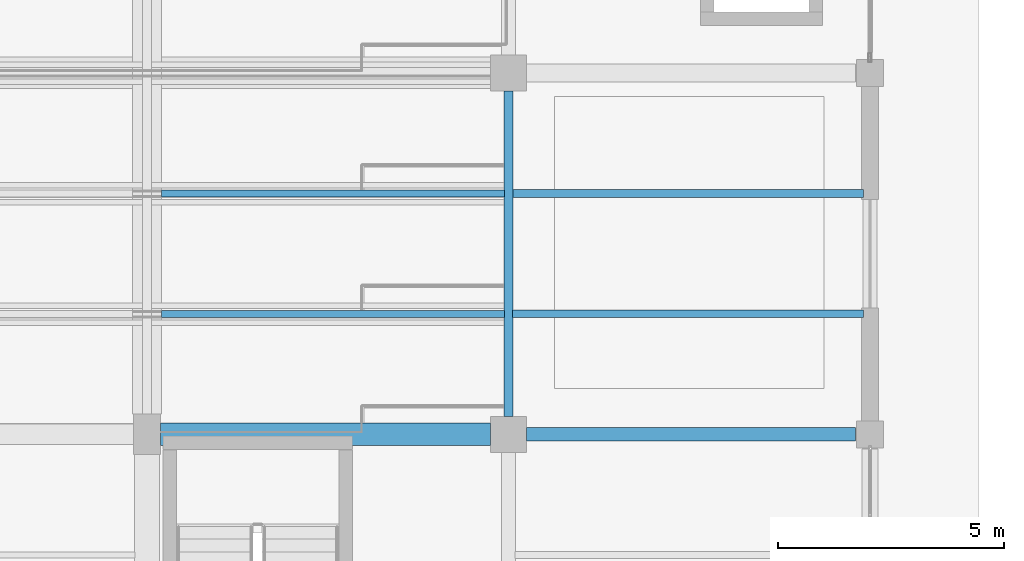
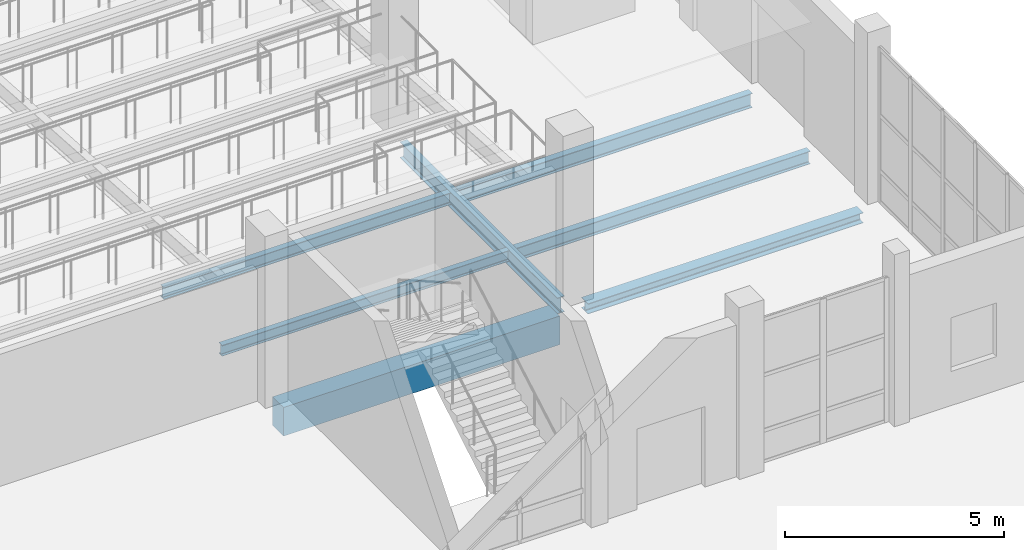
# One storey, part 37 of 156: 7 beams.
"""IFC4 building model written with IfcOpenShell, lengths in metres."""

from ifc_helpers import new_model, si_unit, direction, frame, origin, origin_2d, place, context, subcontext, project, spatial, rectangle, i_section, extrude, material, material_profile, profile_set, type_object, element, save


model = new_model("IFC4")

# Units and contexts
model_context = context("Model", 3, precision=1e-05, world=origin(), true_north=direction((0.0, 1.0)))
body_context = subcontext(model_context, "Body", "Model", "MODEL_VIEW")
ifc_project = project(units=[si_unit("LENGTHUNIT", "METRE"), si_unit("AREAUNIT", "SQUARE_METRE"), si_unit("VOLUMEUNIT", "CUBIC_METRE"), si_unit("PLANEANGLEUNIT", "RADIAN"), si_unit("MASSUNIT", "GRAM", prefix="KILO")], contexts=[model_context])

# Site, building, storey
site_placement = place(None, origin())
site = spatial("IfcSite", under=ifc_project, at=site_placement, CompositionType="ELEMENT")
building_placement = place(site_placement, origin())
building = spatial("IfcBuilding", under=site, at=building_placement, Name="Luwemba Playhouse", CompositionType="ELEMENT")
storey_placement = place(building_placement, origin())
storey = spatial("IfcBuildingStorey", under=building, at=storey_placement, Name="L00", CompositionType="ELEMENT", Elevation=0.0)

# Beams
ifc_material_1 = material(Name="Concrete C40/50", Category="concrete")
ifc_material_profile_1 = material_profile(ifc_material_1, rectangle(XDim=0.5, YDim=0.800048828125, at=origin_2d()))
ifc_profile_set_1 = profile_set([ifc_material_profile_1], Name="Concrete C40/50")
beam_type_1 = type_object("IfcBeamType", Name="BM-RB06", PredefinedType="BEAM", material=ifc_profile_set_1)
beam_1_placement = place(storey_placement, frame((36.300048828125, 44.0, -0.699951171875), z_axis=(1.0, 0.0, 0.0), x_axis=(0.0, 1.0, 0.0)))
element("IfcBeam", 1, at=beam_1_placement, inside=storey, type_object=beam_type_1, Name="L00 grid girder 0011", PredefinedType="BEAM", context=body_context, shape_type="SweptSolid", body=[
    extrude(rectangle(XDim=0.5, YDim=0.800048828125, at=origin_2d()), origin(), (0.0, 0.0, 1.0), 7.300048828125),
])
ifc_material_2 = material(Name="Steel S355", Category="steel")
ifc_material_profile_2 = material_profile(ifc_material_2, i_section(OverallWidth=0.300048828125, OverallDepth=0.2900390625, WebThickness=0.008544921875, FlangeThickness=0.013916015625, FilletRadius=0.027099609375, at=origin_2d()))
ifc_profile_set_2 = profile_set([ifc_material_profile_2], Name="Steel S355")
beam_type_2 = type_object("IfcBeamType", Name="BM-SB03", PredefinedType="BEAM", material=ifc_profile_set_2)
beam_2_placement = place(storey_placement, frame((44.39990234375, 44.0, -0.445068359375), z_axis=(1.0, 0.0, 0.0), x_axis=(0.0, 1.0, 0.0)))
element("IfcBeam", 2, at=beam_2_placement, inside=storey, type_object=beam_type_2, Name="L00 grid girder 0012", PredefinedType="BEAM", context=body_context, shape_type="SweptSolid", body=[
    extrude(i_section(OverallWidth=0.300048828125, OverallDepth=0.2900390625, WebThickness=0.008544921875, FlangeThickness=0.013916015625, FilletRadius=0.027099609375, at=origin_2d()), origin(), (0.0, 0.0, 1.0), 7.275146484375),
])
ifc_material_profile_3 = material_profile(ifc_material_2, i_section(OverallWidth=0.18994140625, OverallDepth=0.449951171875, WebThickness=0.009521484375, FlangeThickness=0.0146484375, FilletRadius=0.02099609375, at=origin_2d()))
ifc_profile_set_3 = profile_set([ifc_material_profile_3], Name="Steel S355")
beam_type_3 = type_object("IfcBeamType", Name="BM-SB06", PredefinedType="BEAM", material=ifc_profile_set_3)
beam_3_placement = place(storey_placement, frame((44.0, 44.39990234375, -0.52490234375), z_axis=(0.0, 1.0, 0.0), x_axis=(-1.0, 0.0, 0.0)))
element("IfcBeam", 3, at=beam_3_placement, inside=storey, type_object=beam_type_3, Name="L00 transverse girder 0034", PredefinedType="BEAM", context=body_context, shape_type="SweptSolid", body=[
    extrude(i_section(OverallWidth=0.18994140625, OverallDepth=0.449951171875, WebThickness=0.009521484375, FlangeThickness=0.0146484375, FilletRadius=0.02099609375, at=origin_2d()), origin(), (0.0, 0.0, 1.0), 7.2001953125),
])
ifc_material_profile_4 = material_profile(ifc_material_2, i_section(OverallWidth=0.14990234375, OverallDepth=0.300048828125, WebThickness=0.007080078125, FlangeThickness=0.0107421875, FilletRadius=0.014892578125, at=origin_2d()))
ifc_profile_set_4 = profile_set([ifc_material_profile_4], Name="Steel S355")
beam_type_4 = type_object("IfcBeamType", Name="BM-SJ05", PredefinedType="JOIST", material=ifc_profile_set_4)
beam_4_placement = place(storey_placement, frame((36.321044921875, 46.666748046875, -0.449951171875), z_axis=(1.0, 0.0, 0.0), x_axis=(0.0, 1.0, 0.0)))
element("IfcBeam", 4, at=beam_4_placement, inside=storey, type_object=beam_type_4, Name="L00 composite floor joist 0031", PredefinedType="JOIST", context=body_context, shape_type="SweptSolid", body=[
    extrude(i_section(OverallWidth=0.14990234375, OverallDepth=0.300048828125, WebThickness=0.007080078125, FlangeThickness=0.0107421875, FilletRadius=0.014892578125, at=origin_2d()), origin(), (0.0, 0.0, 1.0), 7.587890625),
])
ifc_material_profile_5 = material_profile(ifc_material_2, i_section(OverallWidth=0.159912109375, OverallDepth=0.330078125, WebThickness=0.007568359375, FlangeThickness=0.011474609375, FilletRadius=0.01806640625, at=origin_2d()))
ifc_profile_set_5 = profile_set([ifc_material_profile_5], Name="Steel S355")
beam_type_5 = type_object("IfcBeamType", Name="BM-SJ06", PredefinedType="JOIST", material=ifc_profile_set_5)
beam_5_placement = place(storey_placement, frame((36.321044921875, 49.333251953125, -0.465087890625), z_axis=(1.0, 0.0, 0.0), x_axis=(0.0, 1.0, 0.0)))
element("IfcBeam", 5, at=beam_5_placement, inside=storey, type_object=beam_type_5, Name="L00 composite floor joist 0032", PredefinedType="JOIST", context=body_context, shape_type="SweptSolid", body=[
    extrude(i_section(OverallWidth=0.159912109375, OverallDepth=0.330078125, WebThickness=0.007568359375, FlangeThickness=0.011474609375, FilletRadius=0.01806640625, at=origin_2d()), origin(), (0.0, 0.0, 1.0), 7.587890625),
])
ifc_material_profile_6 = material_profile(ifc_material_2, i_section(OverallWidth=0.169921875, OverallDepth=0.360107421875, WebThickness=0.008056640625, FlangeThickness=0.0126953125, FilletRadius=0.01806640625, at=origin_2d()))
ifc_profile_set_6 = profile_set([ifc_material_profile_6], Name="Steel S355")
beam_type_6 = type_object("IfcBeamType", Name="BM-SJ07", PredefinedType="JOIST", material=ifc_profile_set_6)
beam_6_placement = place(storey_placement, frame((44.091064453125, 46.666748046875, -0.47998046875), z_axis=(1.0, 0.0, 0.0), x_axis=(0.0, 1.0, 0.0)))
element("IfcBeam", 6, at=beam_6_placement, inside=storey, type_object=beam_type_6, Name="L00 composite floor joist 0039", PredefinedType="JOIST", context=body_context, shape_type="SweptSolid", body=[
    extrude(i_section(OverallWidth=0.169921875, OverallDepth=0.360107421875, WebThickness=0.008056640625, FlangeThickness=0.0126953125, FilletRadius=0.01806640625, at=origin_2d()), origin(), (0.0, 0.0, 1.0), 7.762939453125),
])
ifc_material_profile_7 = material_profile(ifc_material_2, i_section(OverallWidth=0.179931640625, OverallDepth=0.39990234375, WebThickness=0.008544921875, FlangeThickness=0.013427734375, FilletRadius=0.02099609375, at=origin_2d()))
ifc_profile_set_7 = profile_set([ifc_material_profile_7], Name="Steel S355")
beam_type_7 = type_object("IfcBeamType", Name="BM-SJ08", PredefinedType="JOIST", material=ifc_profile_set_7)
beam_7_placement = place(storey_placement, frame((44.091064453125, 49.333251953125, -0.5), z_axis=(1.0, 0.0, 0.0), x_axis=(0.0, 1.0, 0.0)))
element("IfcBeam", 7, at=beam_7_placement, inside=storey, type_object=beam_type_7, Name="L00 composite floor joist 0040", PredefinedType="JOIST", context=body_context, shape_type="SweptSolid", body=[
    extrude(i_section(OverallWidth=0.179931640625, OverallDepth=0.39990234375, WebThickness=0.008544921875, FlangeThickness=0.013427734375, FilletRadius=0.02099609375, at=origin_2d()), origin(), (0.0, 0.0, 1.0), 7.762939453125),
])

save(model, "model.ifc")
